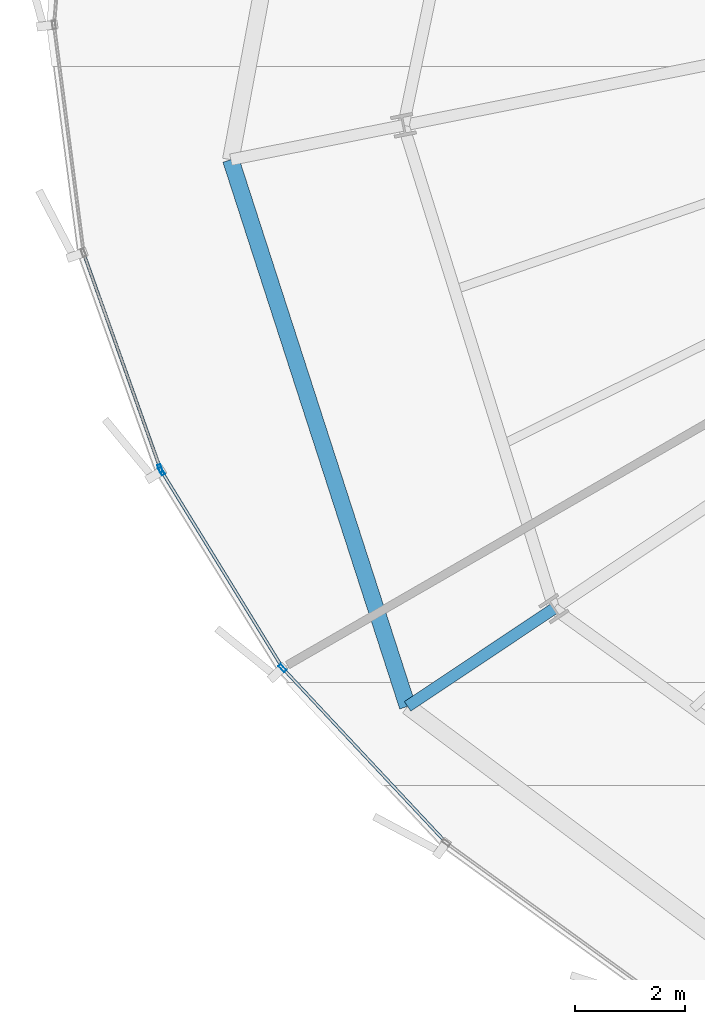
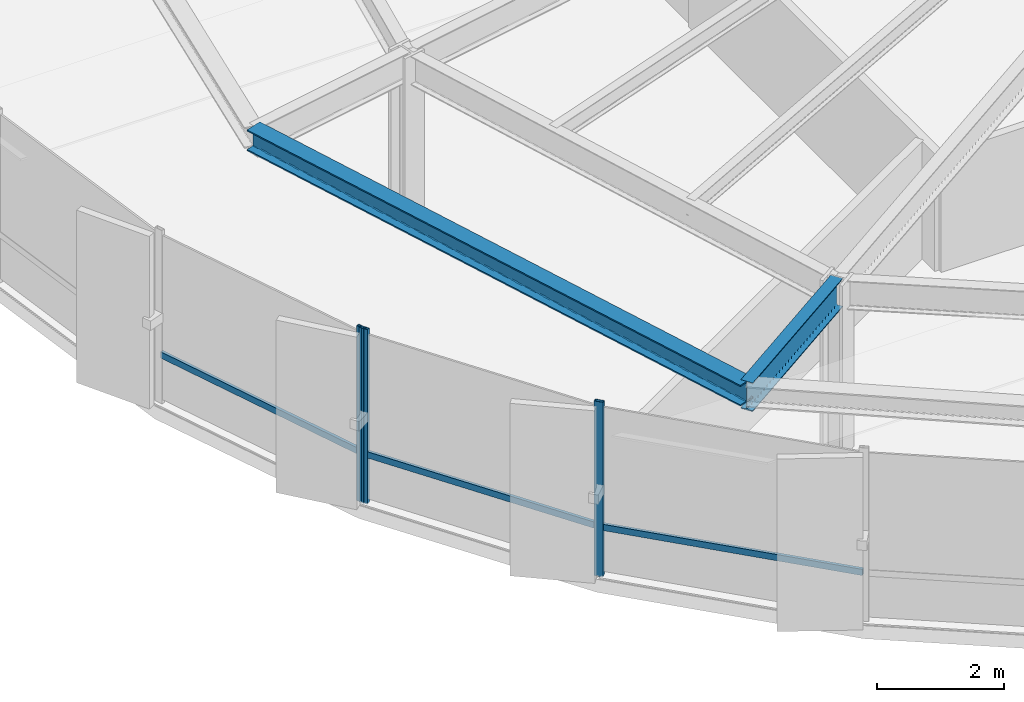
# One storey, part 3 of 35: 6 members, 2 beams, 2 elements without a shape of their own.
"""IFC4 building model written with IfcOpenShell, lengths in metres."""

from ifc_helpers import new_model, si_unit, direction, frame, origin, origin_2d, place, context, subcontext, project, spatial, hollow_rectangle, i_section, extrude, source, transform, mapped, material, layer, layer_set, material_profile, profile_set, type_object, element, aggregate, save


model = new_model("IFC4")

# Units and contexts
model_context = context("Model", 3, precision=1e-05, world=origin(), true_north=direction((0.0, 1.0)))
body_context = subcontext(model_context, "Body", "Model", "MODEL_VIEW")
ifc_project = project(units=[si_unit("LENGTHUNIT", "METRE"), si_unit("AREAUNIT", "SQUARE_METRE"), si_unit("VOLUMEUNIT", "CUBIC_METRE"), si_unit("PLANEANGLEUNIT", "RADIAN"), si_unit("MASSUNIT", "GRAM", prefix="KILO"), si_unit("THERMODYNAMICTEMPERATUREUNIT", "KELVIN")], contexts=[model_context])

# Site, building, storey
site_placement = place(None, origin())
site = spatial("IfcSite", under=ifc_project, at=site_placement, CompositionType="ELEMENT")
building_placement = place(site_placement, origin())
building = spatial("IfcBuilding", under=site, at=building_placement, Name="Kethvar Cultural Tower", CompositionType="ELEMENT")
storey_placement = place(building_placement, frame((0.0, 0.0, 89.199951171875)))
storey = spatial("IfcBuildingStorey", under=building, at=storey_placement, Name="L21", CompositionType="ELEMENT", Elevation=89.199951171875)

# Beams
ifc_material_1 = material(Name="Steel S355J2", Category="steel")
ifc_material_profile_1 = material_profile(ifc_material_1, i_section(OverallWidth=0.2099609375, OverallDepth=0.550048828125, WebThickness=0.010986328125, FlangeThickness=0.01708984375, FilletRadius=0.02392578125, at=origin_2d()), Name="Steel S355J2 — IPE550")
ifc_profile_set_1 = profile_set([ifc_material_profile_1], Name="Steel S355J2 — IPE550")
beam_type_1 = type_object("IfcBeamType", Name="BM-IPE550", PredefinedType="BEAM", material=ifc_profile_set_1)
shared_shape_1 = source(origin(), body_context, "Body", "SweptSolid", [
    extrude(i_section(OverallWidth=0.2099609375, OverallDepth=0.550048828125, WebThickness=0.010986328125, FlangeThickness=0.01708984375, FilletRadius=0.02392578125, at=origin_2d()), origin(), (0.0, 0.0, 1.0), 3.199951171875),
])
beam_1_placement = place(storey_placement, frame((26.920654296875, 14.51708984375, 3.072998046875), z_axis=(-0.831462943996, -0.555580212716, 0.0), x_axis=(0.555580212716, -0.831462943996, 0.0)))
element("IfcBeam", 1, at=beam_1_placement, inside=storey, type_object=beam_type_1, Name="L21 Perimeter Cantilever Beam RC-10", PredefinedType="BEAM", context=body_context, shape_type="MappedRepresentation", body=[
    mapped(shared_shape_1, transform((0.0, 0.0, 0.0), scale=1.0)),
])
ifc_material_profile_2 = material_profile(ifc_material_1, i_section(OverallWidth=0.300048828125, OverallDepth=0.39990234375, WebThickness=0.013427734375, FlangeThickness=0.02392578125, FilletRadius=0.027099609375, at=origin_2d()), Name="Steel S355J2 — HEB400")
ifc_profile_set_2 = profile_set([ifc_material_profile_2], Name="Steel S355J2 — HEB400")
beam_type_2 = type_object("IfcBeamType", Name="BM-SP400", PredefinedType="SPANDREL", material=ifc_profile_set_2)
shared_shape_2 = source(origin(), body_context, "Body", "SweptSolid", [
    extrude(i_section(OverallWidth=0.300048828125, OverallDepth=0.39990234375, WebThickness=0.013427734375, FlangeThickness=0.02392578125, FilletRadius=0.027099609375, at=origin_2d()), origin(), (0.0, 0.0, 1.0), 10.44482421875),
])
beam_2_placement = place(storey_placement, frame((21.046875, 22.677490234375, 3.14794921875), z_axis=(0.307631709258, -0.951505507845, 0.0), x_axis=(0.951505507845, 0.307631709258, 0.0)))
element("IfcBeam", 2, at=beam_2_placement, inside=storey, type_object=beam_type_2, Name="L21 Perimeter Spandrel Beam SP-09", PredefinedType="SPANDREL", context=body_context, shape_type="MappedRepresentation", body=[
    mapped(shared_shape_2, transform((0.0, 0.0, 0.0), scale=1.0)),
])

# Curtain wall, member
ifc_material_2 = material(Name="Aluminium 6063-T6", Category="aluminium")
ifc_layer = layer(ifc_material_2, 0.179931640625, Name="Aluminium 6063-T6", Category="aluminium")
ifc_layer_set = layer_set([ifc_layer], Name="Aluminium 6063-T6 (180 mm)")
curtain_wall_type = type_object("IfcCurtainWallType", Name="CW-SYS-03-Z2", PredefinedType="NOTDEFINED", material=ifc_layer_set)
curtain_wall_1_placement = place(storey_placement, origin())
curtain_wall_1 = element("IfcCurtainWall", 3, at=curtain_wall_1_placement, inside=storey, type_object=curtain_wall_type, Name="L21 Curtain Wall Run 03", PredefinedType="NOTDEFINED")
ifc_material_profile_3 = material_profile(ifc_material_2, hollow_rectangle(XDim=0.06005859375, YDim=0.14990234375, WallThickness=0.0048828125, at=origin_2d()), Name="Aluminium 6063-T6 — RHS150x60x5")
ifc_profile_set_3 = profile_set([ifc_material_profile_3], Name="Aluminium 6063-T6 — RHS150x60x5")
member_type_1 = type_object("IfcMemberType", Name="CW-SYS-03-Z2-MUL", PredefinedType="MULLION", material=ifc_profile_set_3)
shared_shape_3 = source(origin(), body_context, "Body", "SweptSolid", [
    extrude(hollow_rectangle(XDim=0.06005859375, YDim=0.14990234375, WallThickness=0.0048828125, at=origin_2d()), origin(), (0.0, 0.0, 1.0), 3.35009765625),
])
member_1_placement = place(storey_placement, frame((19.7646484375, 17.06494140625, 0.0), z_axis=(0.0, 0.0, 1.0), x_axis=(0.942110133774, 0.335303587574, 0.0)))
member_1 = element("IfcMember", 4, at=member_1_placement, type_object=member_type_1, Name="CW-L21-R03 Mullion 7", PredefinedType="MULLION", context=body_context, shape_type="MappedRepresentation", body=[
    mapped(shared_shape_3, transform((0.0, 0.0, 0.0), scale=1.0)),
])

# Curtain wall, members
curtain_wall_2_placement = place(storey_placement, origin())
curtain_wall_2 = element("IfcCurtainWall", 5, at=curtain_wall_2_placement, inside=storey, type_object=curtain_wall_type, Name="L21 Curtain Wall Run 04", PredefinedType="NOTDEFINED")
member_2_placement = place(storey_placement, frame((19.787841796875, 17.0166015625, 0.0), z_axis=(0.0, 0.0, 1.0), x_axis=(0.851717788734, 0.52400077133, 0.0)))
member_2 = element("IfcMember", 6, at=member_2_placement, type_object=member_type_1, Name="CW-L21-R04 Mullion 1", PredefinedType="MULLION", context=body_context, shape_type="MappedRepresentation", body=[
    mapped(shared_shape_3, transform((0.0, 0.0, 0.0), scale=1.0)),
])
member_3_placement = place(storey_placement, frame((21.986572265625, 13.438232421875, 0.0), z_axis=(0.0, 0.0, 1.0), x_axis=(0.729780550696, 0.683681466639, 0.0)))
member_3 = element("IfcMember", 7, at=member_3_placement, type_object=member_type_1, Name="CW-L21-R04 Mullion 2", PredefinedType="MULLION", context=body_context, shape_type="MappedRepresentation", body=[
    mapped(shared_shape_3, transform((0.0, 0.0, 0.0), scale=1.0)),
])

# Member
ifc_material_profile_4 = material_profile(ifc_material_2, hollow_rectangle(XDim=0.054931640625, YDim=0.1201171875, WallThickness=0.00390625, at=origin_2d()), Name="Aluminium 6063-T6 — RHS120x55x4")
ifc_profile_set_4 = profile_set([ifc_material_profile_4], Name="Aluminium 6063-T6 — RHS120x55x4")
member_type_2 = type_object("IfcMemberType", Name="CW-SYS-03-Z2-TRN", PredefinedType="USERDEFINED", material=ifc_profile_set_4)
shared_shape_4 = source(origin(), body_context, "Body", "SweptSolid", [
    extrude(hollow_rectangle(XDim=0.054931640625, YDim=0.1201171875, WallThickness=0.00390625, at=origin_2d()), origin(), (0.0, 0.0, 1.0), 4.115478515625),
])
member_4_placement = place(storey_placement, frame((18.38330078125, 20.9462890625, 0.949951171875), z_axis=(0.33529521548, -0.942113113419, 0.0), x_axis=(0.942113113419, 0.33529521548, 0.0)))
member_4 = element("IfcMember", 8, at=member_4_placement, type_object=member_type_2, Name="CW-L21-R03 Transom 6", ObjectType="TRANSOM", PredefinedType="USERDEFINED", context=body_context, shape_type="MappedRepresentation", body=[
    mapped(shared_shape_4, transform((0.0, 0.0, 0.0), scale=1.0)),
])

aggregate(curtain_wall_1, [member_1, member_4])

shared_shape_5 = source(origin(), body_context, "Body", "SweptSolid", [
    extrude(hollow_rectangle(XDim=0.054931640625, YDim=0.1201171875, WallThickness=0.00390625, at=origin_2d()), origin(), (0.0, 0.0, 1.0), 4.175537109375),
])
member_5_placement = place(storey_placement, frame((19.7900390625, 17.01318359375, 0.949951171875), z_axis=(0.523999555567, -0.851718536704, 0.0), x_axis=(0.851718536704, 0.523999555567, 0.0)))
member_5 = element("IfcMember", 9, at=member_5_placement, type_object=member_type_2, Name="CW-L21-R04 Transom 1", ObjectType="TRANSOM", PredefinedType="USERDEFINED", context=body_context, shape_type="MappedRepresentation", body=[
    mapped(shared_shape_5, transform((0.0, 0.0, 0.0), scale=1.0)),
])

shared_shape_6 = source(origin(), body_context, "Body", "SweptSolid", [
    extrude(hollow_rectangle(XDim=0.054931640625, YDim=0.1201171875, WallThickness=0.00390625, at=origin_2d()), origin(), (0.0, 0.0, 1.0), 4.286865234375),
])
member_6_placement = place(storey_placement, frame((22.01611328125, 13.40673828125, 0.949951171875), z_axis=(0.683694816015, -0.72976804435, 0.0), x_axis=(0.72976804435, 0.683694816015, 0.0)))
member_6 = element("IfcMember", 10, at=member_6_placement, type_object=member_type_2, Name="CW-L21-R04 Transom 2", ObjectType="TRANSOM", PredefinedType="USERDEFINED", context=body_context, shape_type="MappedRepresentation", body=[
    mapped(shared_shape_6, transform((0.0, 0.0, 0.0), scale=1.0)),
])

aggregate(curtain_wall_2, [member_2, member_3, member_5, member_6])

save(model, "model.ifc")
